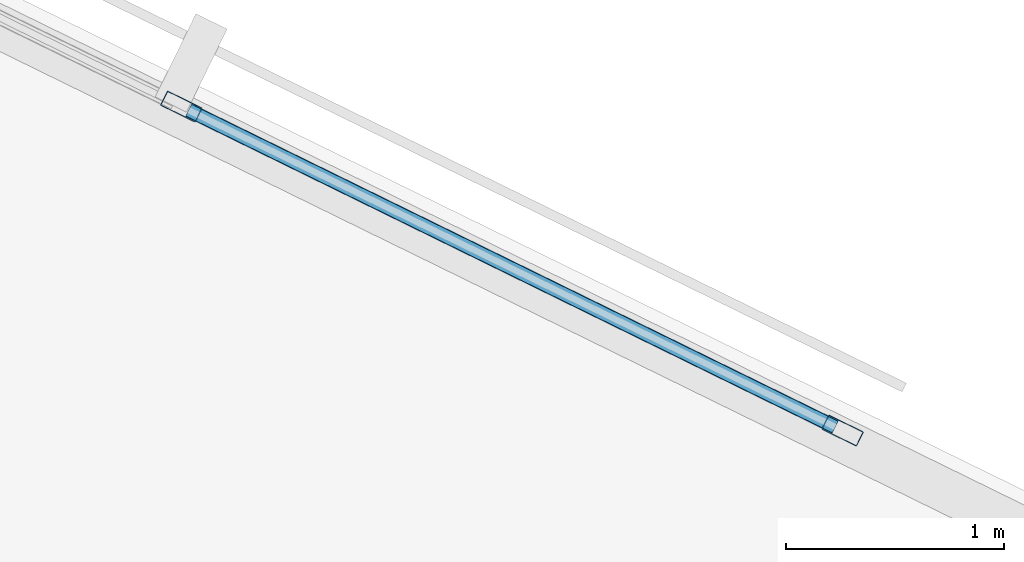
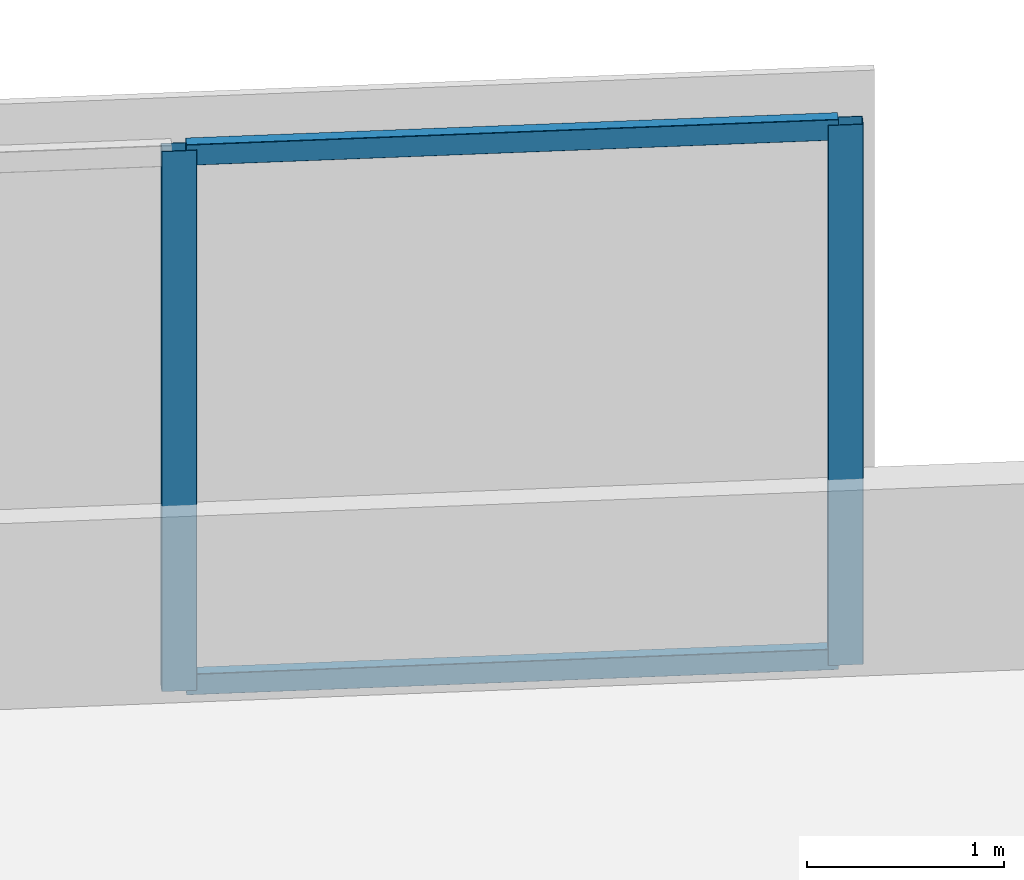
# One storey, part 2 of 18: 4 members, 1 element without a shape of its own.
"""IFC4 building model written with IfcOpenShell, lengths in metres."""

from ifc_helpers import new_model, si_unit, direction, frame, origin, origin_2d, place, context, subcontext, project, spatial, hollow_rectangle, extrude, material, material_profile, profile_set, type_object, element, aggregate, save


model = new_model("IFC4")

# Units and contexts
model_context = context("Model", 3, precision=1e-05, world=origin(), true_north=direction((0.0, 1.0)))
body_context = subcontext(model_context, "Body", "Model", "MODEL_VIEW")
ifc_project = project(units=[si_unit("LENGTHUNIT", "METRE"), si_unit("AREAUNIT", "SQUARE_METRE"), si_unit("VOLUMEUNIT", "CUBIC_METRE"), si_unit("PLANEANGLEUNIT", "RADIAN"), si_unit("MASSUNIT", "GRAM", prefix="KILO")], contexts=[model_context])

# Site, building, storey
site_placement = place(None, origin())
site = spatial("IfcSite", under=ifc_project, at=site_placement, CompositionType="ELEMENT")
building_placement = place(site_placement, origin())
building = spatial("IfcBuilding", under=site, at=building_placement, Name="Narakoshi Arena Tower", CompositionType="ELEMENT")
storey_placement = place(building_placement, frame((0.0, 0.0, 120.89990234375)))
storey = spatial("IfcBuildingStorey", under=building, at=storey_placement, Name="L32", CompositionType="ELEMENT", Elevation=120.89990234375)

# Curtain wall, members
ifc_material = material(Name="Anodised bronze aluminium 6063-T6", Category="aluminium")
curtain_wall_type = type_object("IfcCurtainWallType", Name="CW-HYP-LOW", PredefinedType="NOTDEFINED", material=ifc_material)
curtain_wall_placement = place(storey_placement, origin())
curtain_wall = element("IfcCurtainWall", 1, at=curtain_wall_placement, inside=storey, type_object=curtain_wall_type, Name="L32 Folded Hypotenuse Curtain Wall 2-1", PredefinedType="NOTDEFINED")
ifc_material_profile_1 = material_profile(ifc_material, hollow_rectangle(XDim=0.074951171875, YDim=0.179931640625, WallThickness=0.00390625, OuterFilletRadius=0.0048828125, at=origin_2d()), Name="MUL180x75x4")
ifc_profile_set_1 = profile_set([ifc_material_profile_1], Name="Anodised bronze aluminium 6063-T6")
member_type_1 = type_object("IfcMemberType", Name="MEM-MUL-180", PredefinedType="MULLION", material=ifc_profile_set_1)
member_1_placement = place(storey_placement, frame((87.598876953125, 62.51513671875, 0.0), z_axis=(0.0, 0.0, 1.0), x_axis=(-0.440004510198, -0.89799556291, 0.0)))
member_1 = element("IfcMember", 2, at=member_1_placement, type_object=member_type_1, Name="CW-01 mullion 1", PredefinedType="MULLION", context=body_context, shape_type="SweptSolid", body=[
    extrude(hollow_rectangle(XDim=0.074951171875, YDim=0.179931640625, WallThickness=0.00390625, OuterFilletRadius=0.0048828125, at=origin_2d()), origin(), (0.0, 0.0, 1.0), 3.340087890625),
])
member_2_placement = place(storey_placement, frame((84.559326171875, 64.00439453125, 0.0), z_axis=(0.0, 0.0, 1.0), x_axis=(-0.440004510198, -0.89799556291, 0.0)))
member_2 = element("IfcMember", 3, at=member_2_placement, type_object=member_type_1, Name="CW-01 mullion 2", PredefinedType="MULLION", context=body_context, shape_type="SweptSolid", body=[
    extrude(hollow_rectangle(XDim=0.074951171875, YDim=0.179931640625, WallThickness=0.00390625, OuterFilletRadius=0.0048828125, at=origin_2d()), origin(), (0.0, 0.0, 1.0), 3.340087890625),
])
ifc_material_profile_2 = material_profile(ifc_material, hollow_rectangle(XDim=0.06494140625, YDim=0.1298828125, WallThickness=0.00390625, OuterFilletRadius=0.0048828125, at=origin_2d()), Name="TRN130x65x4")
ifc_profile_set_2 = profile_set([ifc_material_profile_2], Name="Anodised bronze aluminium 6063-T6")
member_type_2 = type_object("IfcMemberType", Name="MEM-TRN-130", PredefinedType="USERDEFINED", material=ifc_profile_set_2)
member_3_placement = place(storey_placement, frame((87.565185546875, 62.531494140625, 0.03271484375), z_axis=(-0.897968733038, 0.44005926247, 0.0), x_axis=(-0.44005926247, -0.897968733038, 0.0)))
member_3 = element("IfcMember", 4, at=member_3_placement, type_object=member_type_2, Name="CW-01 transom 1.1", ObjectType="TRANSOM", PredefinedType="USERDEFINED", context=body_context, shape_type="SweptSolid", body=[
    extrude(hollow_rectangle(XDim=0.06494140625, YDim=0.1298828125, WallThickness=0.00390625, OuterFilletRadius=0.0048828125, at=origin_2d()), origin(), (0.0, 0.0, 1.0), 3.309814453125),
])
member_4_placement = place(storey_placement, frame((87.565185546875, 62.531494140625, 3.3076171875), z_axis=(-0.897968733038, 0.44005926247, 0.0), x_axis=(-0.44005926247, -0.897968733038, 0.0)))
member_4 = element("IfcMember", 5, at=member_4_placement, type_object=member_type_2, Name="CW-01 transom 1.2", ObjectType="TRANSOM", PredefinedType="USERDEFINED", context=body_context, shape_type="SweptSolid", body=[
    extrude(hollow_rectangle(XDim=0.06494140625, YDim=0.1298828125, WallThickness=0.00390625, OuterFilletRadius=0.0048828125, at=origin_2d()), origin(), (0.0, 0.0, 1.0), 3.309814453125),
])
aggregate(curtain_wall, [member_1, member_2, member_3, member_4])

save(model, "model.ifc")
